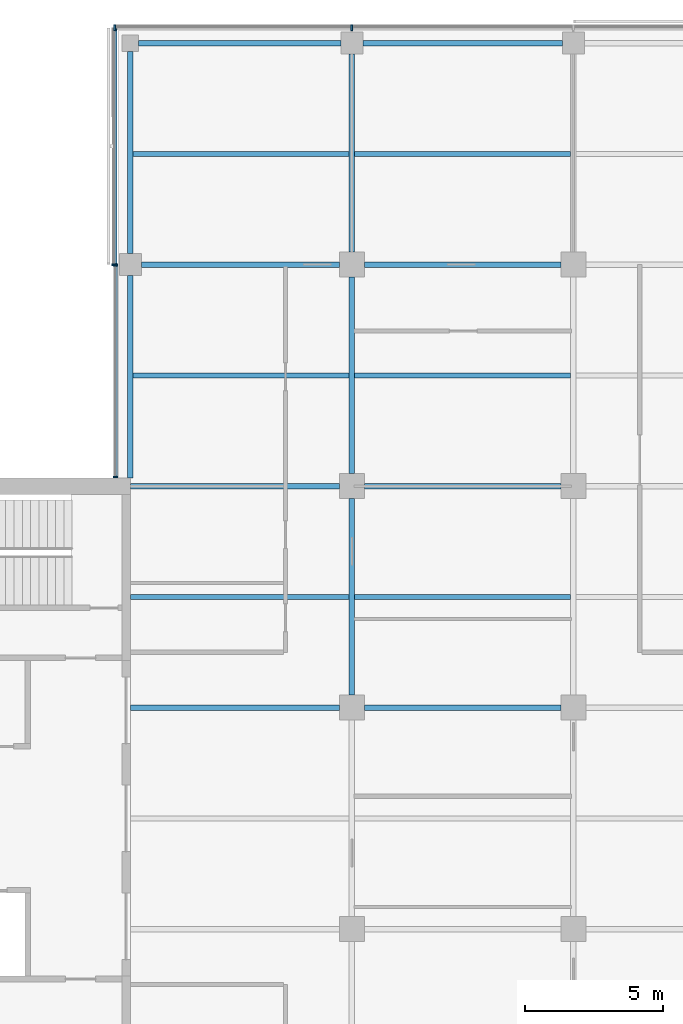
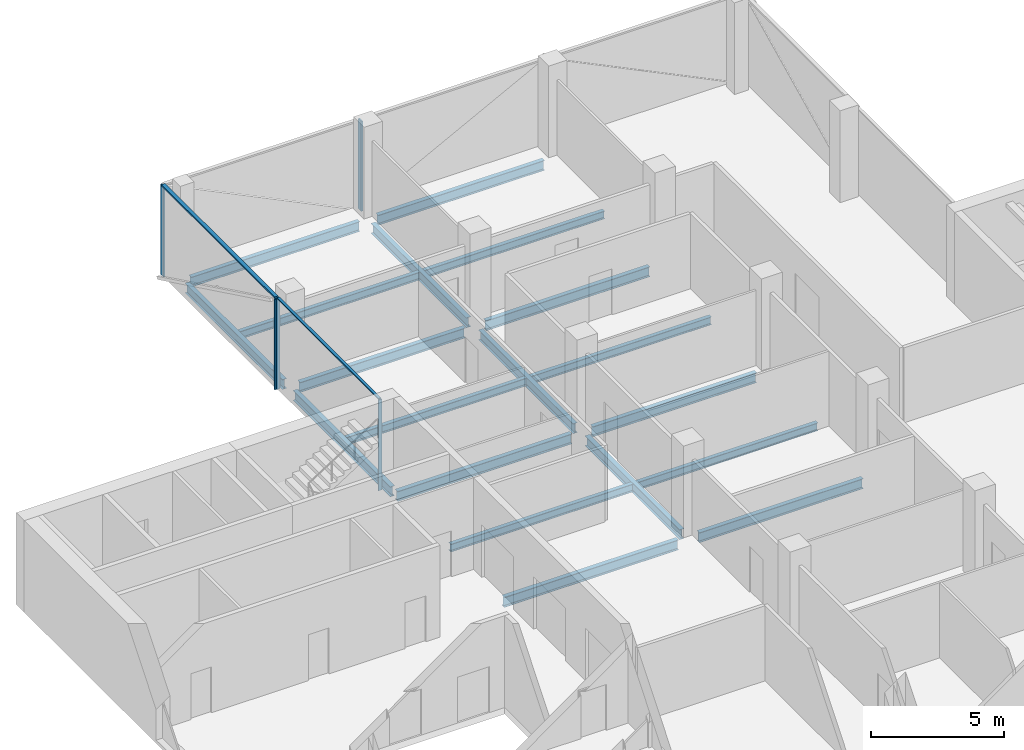
# One storey, part 5 of 15: 19 beams, 7 members, 3 elements without a shape of their own.
"""IFC4 building model written with IfcOpenShell, lengths in metres."""

from ifc_helpers import new_model, si_unit, direction, frame, origin, origin_2d, place, context, subcontext, project, spatial, rectangle, i_section, extrude, material, material_profile, profile_set, type_object, element, aggregate, save


model = new_model("IFC4")

# Units and contexts
model_context = context("Model", 3, precision=1e-05, world=origin(), true_north=direction((0.0, 1.0)))
body_context = subcontext(model_context, "Body", "Model", "MODEL_VIEW")
ifc_project = project(units=[si_unit("LENGTHUNIT", "METRE"), si_unit("AREAUNIT", "SQUARE_METRE"), si_unit("VOLUMEUNIT", "CUBIC_METRE"), si_unit("PLANEANGLEUNIT", "RADIAN"), si_unit("MASSUNIT", "GRAM", prefix="KILO")], contexts=[model_context])

# Site, building, storey
site_placement = place(None, origin())
site = spatial("IfcSite", under=ifc_project, at=site_placement, CompositionType="ELEMENT")
building_placement = place(site_placement, origin())
building = spatial("IfcBuilding", under=site, at=building_placement, Name="Crosswind Convention Tower", CompositionType="ELEMENT")
storey_placement = place(building_placement, frame((0.0, 0.0, 183.10009765625)))
storey = spatial("IfcBuildingStorey", under=building, at=storey_placement, Name="L38", CompositionType="ELEMENT", Elevation=183.10009765625)

# Beams
ifc_material_1 = material(Name="Steel S355", Category="steel")
ifc_material_profile_1 = material_profile(ifc_material_1, i_section(OverallWidth=0.18994140625, OverallDepth=0.45361328125, WebThickness=0.008544921875, FlangeThickness=0.0126953125, FilletRadius=0.01025390625, at=origin_2d()), Name="UB 457x191x67")
ifc_profile_set_1 = profile_set([ifc_material_profile_1], Name="Steel S355")
beam_type_1 = type_object("IfcBeamType", Name="Edge beam UB 457x191x67", PredefinedType="SPANDREL", material=ifc_profile_set_1)
for number, where, z_axis, x_axis, name in (
    (1, (113.0, 112.300048828125, -0.52685546875), (0.0, 1.0, 0.0), (-1.0, 0.0, 0.0), "B16 L38 edge beam 3"),
    (2, (113.0, 120.39990234375, -0.52685546875), (0.0, 1.0, 0.0), (-1.0, 0.0, 0.0), "B16 L38 edge beam 4"),
    (3, (113.300048828125, 128.0, -0.52685546875), (1.0, 0.0, 0.0), (0.0, 1.0, 0.0), "B16 L38 edge beam 6"),
):
    element("IfcBeam", number, at=place(storey_placement, frame(where, z_axis=z_axis, x_axis=x_axis)), inside=storey, type_object=beam_type_1, Name=name, PredefinedType="SPANDREL", context=body_context, shape_type="SweptSolid", body=[
        extrude(i_section(OverallWidth=0.18994140625, OverallDepth=0.45361328125, WebThickness=0.008544921875, FlangeThickness=0.0126953125, FilletRadius=0.01025390625, at=origin_2d()), origin(), (0.0, 0.0, 1.0), 7.300048828125),
    ])
beam_1_placement = place(storey_placement, frame((121.39990234375, 128.0, -0.52685546875), z_axis=(1.0, 0.0, 0.0), x_axis=(0.0, 1.0, 0.0)))
element("IfcBeam", 4, at=beam_1_placement, inside=storey, type_object=beam_type_1, Name="B16 L38 edge beam 8", PredefinedType="SPANDREL", context=body_context, shape_type="SweptSolid", body=[
    extrude(i_section(OverallWidth=0.18994140625, OverallDepth=0.45361328125, WebThickness=0.008544921875, FlangeThickness=0.0126953125, FilletRadius=0.01025390625, at=origin_2d()), origin(), (0.0, 0.0, 1.0), 7.2001953125),
])
ifc_material_profile_2 = material_profile(ifc_material_1, i_section(OverallWidth=0.1904296875, OverallDepth=0.457275390625, WebThickness=0.009033203125, FlangeThickness=0.014404296875, FilletRadius=0.01025390625, at=origin_2d()), Name="UB 457x191x75")
ifc_profile_set_2 = profile_set([ifc_material_profile_2], Name="Steel S355")
beam_type_2 = type_object("IfcBeamType", Name="Girder UB 457x191x75", PredefinedType="BEAM", material=ifc_profile_set_2)
beam_2_placement = place(storey_placement, frame((113.39990234375, 120.0, -0.52880859375), z_axis=(1.0, 0.0, 0.0), x_axis=(0.0, 1.0, 0.0)))
element("IfcBeam", 5, at=beam_2_placement, inside=storey, type_object=beam_type_2, Name="B2 L38 girder 2", PredefinedType="BEAM", context=body_context, shape_type="SweptSolid", body=[
    extrude(i_section(OverallWidth=0.1904296875, OverallDepth=0.457275390625, WebThickness=0.009033203125, FlangeThickness=0.014404296875, FilletRadius=0.01025390625, at=origin_2d()), origin(), (0.0, 0.0, 1.0), 7.150146484375),
])
for number, where, z_axis, x_axis, name in (
    (6, (121.0, 104.449951171875, -0.52880859375), (0.0, 1.0, 0.0), (-1.0, 0.0, 0.0), "B2 L38 girder 7"),
    (7, (121.0, 112.449951171875, -0.52880859375), (0.0, 1.0, 0.0), (-1.0, 0.0, 0.0), "B2 L38 girder 8"),
):
    element("IfcBeam", number, at=place(storey_placement, frame(where, z_axis=z_axis, x_axis=x_axis)), inside=storey, type_object=beam_type_2, Name=name, PredefinedType="BEAM", context=body_context, shape_type="SweptSolid", body=[
        extrude(i_section(OverallWidth=0.1904296875, OverallDepth=0.457275390625, WebThickness=0.009033203125, FlangeThickness=0.014404296875, FilletRadius=0.01025390625, at=origin_2d()), origin(), (0.0, 0.0, 1.0), 7.10009765625),
    ])
beam_3_placement = place(storey_placement, frame((121.0, 120.449951171875, -0.52880859375), z_axis=(0.0, 1.0, 0.0), x_axis=(-1.0, 0.0, 0.0)))
element("IfcBeam", 8, at=beam_3_placement, inside=storey, type_object=beam_type_2, Name="B2 L38 girder 9", PredefinedType="BEAM", context=body_context, shape_type="SweptSolid", body=[
    extrude(i_section(OverallWidth=0.1904296875, OverallDepth=0.457275390625, WebThickness=0.009033203125, FlangeThickness=0.014404296875, FilletRadius=0.01025390625, at=origin_2d()), origin(), (0.0, 0.0, 1.0), 7.150146484375),
])
for number, where, z_axis, x_axis, name in (
    (9, (121.449951171875, 104.0, -0.52880859375), (1.0, 0.0, 0.0), (0.0, 1.0, 0.0), "B2 L38 girder 13"),
    (10, (121.449951171875, 112.0, -0.52880859375), (1.0, 0.0, 0.0), (0.0, 1.0, 0.0), "B2 L38 girder 14"),
    (11, (121.449951171875, 120.0, -0.52880859375), (1.0, 0.0, 0.0), (0.0, 1.0, 0.0), "B2 L38 girder 15"),
):
    element("IfcBeam", number, at=place(storey_placement, frame(where, z_axis=z_axis, x_axis=x_axis)), inside=storey, type_object=beam_type_2, Name=name, PredefinedType="BEAM", context=body_context, shape_type="SweptSolid", body=[
        extrude(i_section(OverallWidth=0.1904296875, OverallDepth=0.457275390625, WebThickness=0.009033203125, FlangeThickness=0.014404296875, FilletRadius=0.01025390625, at=origin_2d()), origin(), (0.0, 0.0, 1.0), 7.10009765625),
    ])
ifc_material_profile_3 = material_profile(ifc_material_1, i_section(OverallWidth=0.19140625, OverallDepth=0.460205078125, WebThickness=0.010009765625, FlangeThickness=0.01611328125, FilletRadius=0.01025390625, at=origin_2d()), Name="UB 457x191x82")
ifc_profile_set_3 = profile_set([ifc_material_profile_3], Name="Steel S355")
beam_type_3 = type_object("IfcBeamType", Name="Girder at core wall UB 457x191x82", PredefinedType="BEAM", material=ifc_profile_set_3)
for number, where, z_axis, x_axis, name in (
    (12, (113.0, 104.0, -0.5302734375), (1.0, 0.0, 0.0), (0.0, 1.0, 0.0), "B23 L38 girder at core wall 3"),
    (13, (113.0, 112.0, -0.5302734375), (1.0, 0.0, 0.0), (0.0, 1.0, 0.0), "B23 L38 girder at core wall 4"),
):
    element("IfcBeam", number, at=place(storey_placement, frame(where, z_axis=z_axis, x_axis=x_axis)), inside=storey, type_object=beam_type_3, Name=name, PredefinedType="BEAM", context=body_context, shape_type="SweptSolid", body=[
        extrude(i_section(OverallWidth=0.19140625, OverallDepth=0.460205078125, WebThickness=0.010009765625, FlangeThickness=0.01611328125, FilletRadius=0.01025390625, at=origin_2d()), origin(), (0.0, 0.0, 1.0), 7.550048828125),
    ])

# Curtain wall, members
ifc_material_2 = material(Name="Aluminium unitised curtain wall", Category="aluminium")
curtain_wall_type_1 = type_object("IfcCurtainWallType", Name="CORE END SLOT WALL 160", PredefinedType="USERDEFINED", material=ifc_material_2)
curtain_wall_1_placement = place(storey_placement, origin())
curtain_wall_1 = element("IfcCurtainWall", 14, at=curtain_wall_1_placement, inside=storey, type_object=curtain_wall_type_1, Name="CW6 L38 N-W.1-2 slot", ObjectType="UNITISED", PredefinedType="USERDEFINED")
ifc_material_3 = material(Name="Aluminium mullion", Category="aluminium")
ifc_material_profile_4 = material_profile(ifc_material_3, rectangle(XDim=0.159912109375, YDim=0.050048828125, at=origin_2d()), Name="AL 160X50")
ifc_profile_set_4 = profile_set([ifc_material_profile_4], Name="Aluminium mullion")
member_type_1 = type_object("IfcMemberType", Name="MULLION 50X160", PredefinedType="MULLION", material=ifc_profile_set_4)
member_1_placement = place(storey_placement, frame((112.469970703125, 119.97509765625, -0.300048828125), z_axis=(0.0, 0.0, 1.0), x_axis=(-1.0, 0.0, 0.0)))
member_1 = element("IfcMember", 15, at=member_1_placement, type_object=member_type_1, Name="CW6 mullion 1", PredefinedType="MULLION", context=body_context, shape_type="SweptSolid", body=[
    extrude(rectangle(XDim=0.159912109375, YDim=0.050048828125, at=origin_2d()), origin(), (0.0, 0.0, 1.0), 4.14990234375),
])
member_2_placement = place(storey_placement, frame((112.469970703125, 112.324951171875, -0.300048828125), z_axis=(0.0, 0.0, 1.0), x_axis=(-1.0, 0.0, 0.0)))
member_2 = element("IfcMember", 16, at=member_2_placement, type_object=member_type_1, Name="CW6 mullion 2", PredefinedType="MULLION", context=body_context, shape_type="SweptSolid", body=[
    extrude(rectangle(XDim=0.159912109375, YDim=0.050048828125, at=origin_2d()), origin(), (0.0, 0.0, 1.0), 4.14990234375),
])

curtain_wall_type_2 = type_object("IfcCurtainWallType", Name="OFFICE UNITISED WALL 220", PredefinedType="USERDEFINED", material=ifc_material_2)
curtain_wall_2_placement = place(storey_placement, origin())
curtain_wall_2 = element("IfcCurtainWall", 17, at=curtain_wall_2_placement, inside=storey, type_object=curtain_wall_type_2, Name="CW3 L38 N-TIP 1", ObjectType="UNITISED", PredefinedType="USERDEFINED")
ifc_material_profile_5 = material_profile(ifc_material_3, rectangle(XDim=0.219970703125, YDim=0.070068359375, at=origin_2d()), Name="AL 220X70")
ifc_profile_set_5 = profile_set([ifc_material_profile_5], Name="Aluminium mullion")
member_type_2 = type_object("IfcMemberType", Name="MULLION 70X220", PredefinedType="MULLION", material=ifc_profile_set_5)
member_3_placement = place(storey_placement, frame((121.0, 128.56005859375, -0.300048828125), z_axis=(0.0, 0.0, 1.0), x_axis=(0.0, 1.0, 0.0)))
member_3 = element("IfcMember", 18, at=member_3_placement, type_object=member_type_2, Name="CW3 mullion 3", PredefinedType="MULLION", context=body_context, shape_type="SweptSolid", body=[
    extrude(rectangle(XDim=0.219970703125, YDim=0.070068359375, at=origin_2d()), origin(), (0.0, 0.0, 1.0), 4.1298828125),
])
member_4_placement = place(storey_placement, frame((112.43994140625, 128.56005859375, -0.300048828125), z_axis=(0.0, 0.0, 1.0), x_axis=(0.0, 1.0, 0.0)))
member_4 = element("IfcMember", 19, at=member_4_placement, type_object=member_type_2, Name="CW3 mullion 4", PredefinedType="MULLION", context=body_context, shape_type="SweptSolid", body=[
    extrude(rectangle(XDim=0.219970703125, YDim=0.070068359375, at=origin_2d()), origin(), (0.0, 0.0, 1.0), 4.1298828125),
])
aggregate(curtain_wall_2, [member_3, member_4])

# Curtain wall, member
curtain_wall_3_placement = place(storey_placement, origin())
curtain_wall_3 = element("IfcCurtainWall", 20, at=curtain_wall_3_placement, inside=storey, type_object=curtain_wall_type_2, Name="CW3 L38 N-W 1", ObjectType="UNITISED", PredefinedType="USERDEFINED")
member_5_placement = place(storey_placement, frame((112.43994140625, 120.0, -0.300048828125), z_axis=(0.0, 0.0, 1.0), x_axis=(-1.0, 0.0, 0.0)))
member_5 = element("IfcMember", 21, at=member_5_placement, type_object=member_type_2, Name="CW3 mullion 2", PredefinedType="MULLION", context=body_context, shape_type="SweptSolid", body=[
    extrude(rectangle(XDim=0.219970703125, YDim=0.070068359375, at=origin_2d()), origin(), (0.0, 0.0, 1.0), 4.1298828125),
])

# Beams
ifc_material_profile_6 = material_profile(ifc_material_1, i_section(OverallWidth=0.172119140625, OverallDepth=0.358642578125, WebThickness=0.008056640625, FlangeThickness=0.012939453125, FilletRadius=0.01025390625, at=origin_2d()), Name="UB 356x171x57")
ifc_profile_set_6 = profile_set([ifc_material_profile_6], Name="Steel S355")
beam_type_4 = type_object("IfcBeamType", Name="Secondary beam UB 356x171x57", PredefinedType="JOIST", material=ifc_profile_set_6)
beam_4_placement = place(storey_placement, frame((113.0, 108.0, -0.4794921875), z_axis=(1.0, 0.0, 0.0), x_axis=(0.0, 1.0, 0.0)))
element("IfcBeam", 22, at=beam_4_placement, inside=storey, type_object=beam_type_4, Name="B9 L38 secondary beam 3", PredefinedType="JOIST", context=body_context, shape_type="SweptSolid", body=[
    extrude(i_section(OverallWidth=0.172119140625, OverallDepth=0.358642578125, WebThickness=0.008056640625, FlangeThickness=0.012939453125, FilletRadius=0.01025390625, at=origin_2d()), origin(), (0.0, 0.0, 1.0), 7.90478515625),
])
for number, where, z_axis, x_axis, name in (
    (23, (113.094970703125, 116.0, -0.4794921875), (1.0, 0.0, 0.0), (0.0, 1.0, 0.0), "B9 L38 secondary beam 6"),
    (24, (113.094970703125, 124.0, -0.4794921875), (1.0, 0.0, 0.0), (0.0, 1.0, 0.0), "B9 L38 secondary beam 7"),
):
    element("IfcBeam", number, at=place(storey_placement, frame(where, z_axis=z_axis, x_axis=x_axis)), inside=storey, type_object=beam_type_4, Name=name, PredefinedType="JOIST", context=body_context, shape_type="SweptSolid", body=[
        extrude(i_section(OverallWidth=0.172119140625, OverallDepth=0.358642578125, WebThickness=0.008056640625, FlangeThickness=0.012939453125, FilletRadius=0.01025390625, at=origin_2d()), origin(), (0.0, 0.0, 1.0), 7.809814453125),
    ])
for number, where, z_axis, x_axis, name in (
    (25, (121.09521484375, 108.0, -0.4794921875), (1.0, 0.0, 0.0), (0.0, 1.0, 0.0), "B9 L38 secondary beam 12"),
    (26, (121.09521484375, 116.0, -0.4794921875), (1.0, 0.0, 0.0), (0.0, 1.0, 0.0), "B9 L38 secondary beam 13"),
    (27, (121.09521484375, 124.0, -0.4794921875), (1.0, 0.0, 0.0), (0.0, 1.0, 0.0), "B9 L38 secondary beam 14"),
):
    element("IfcBeam", number, at=place(storey_placement, frame(where, z_axis=z_axis, x_axis=x_axis)), inside=storey, type_object=beam_type_4, Name=name, PredefinedType="JOIST", context=body_context, shape_type="SweptSolid", body=[
        extrude(i_section(OverallWidth=0.172119140625, OverallDepth=0.358642578125, WebThickness=0.008056640625, FlangeThickness=0.012939453125, FilletRadius=0.01025390625, at=origin_2d()), origin(), (0.0, 0.0, 1.0), 7.8095703125),
    ])

# Member
ifc_material_4 = material(Name="Aluminium transom", Category="aluminium")
ifc_material_profile_7 = material_profile(ifc_material_4, rectangle(XDim=0.1201171875, YDim=0.050048828125, at=origin_2d()), Name="AL 120X50")
ifc_profile_set_7 = profile_set([ifc_material_profile_7], Name="Aluminium transom")
member_type_3 = type_object("IfcMemberType", Name="TRANSOM 50X120", PredefinedType="USERDEFINED", material=ifc_profile_set_7)
member_6_placement = place(storey_placement, frame((112.469970703125, 119.949951171875, 3.875), z_axis=(0.0, -1.0, 0.0), x_axis=(1.0, 0.0, 0.0)))
member_6 = element("IfcMember", 28, at=member_6_placement, type_object=member_type_3, Name="CW6 transom", ObjectType="TRANSOM", PredefinedType="USERDEFINED", context=body_context, shape_type="SweptSolid", body=[
    extrude(rectangle(XDim=0.1201171875, YDim=0.050048828125, at=origin_2d()), origin(), (0.0, 0.0, 1.0), 7.599853515625),
])

aggregate(curtain_wall_1, [member_1, member_2, member_6])

ifc_material_profile_8 = material_profile(ifc_material_4, rectangle(XDim=0.159912109375, YDim=0.070068359375, at=origin_2d()), Name="AL 160X70")
ifc_profile_set_8 = profile_set([ifc_material_profile_8], Name="Aluminium transom")
member_type_4 = type_object("IfcMemberType", Name="TRANSOM 70X160", PredefinedType="USERDEFINED", material=ifc_profile_set_8)
member_7_placement = place(storey_placement, frame((112.43994140625, 128.52490234375, 3.864990234375), z_axis=(0.0, -1.0, 0.0), x_axis=(1.0, 0.0, 0.0)))
member_7 = element("IfcMember", 29, at=member_7_placement, type_object=member_type_4, Name="CW3 transom", ObjectType="TRANSOM", PredefinedType="USERDEFINED", context=body_context, shape_type="SweptSolid", body=[
    extrude(rectangle(XDim=0.159912109375, YDim=0.070068359375, at=origin_2d()), origin(), (0.0, 0.0, 1.0), 8.489990234375),
])

aggregate(curtain_wall_3, [member_5, member_7])

save(model, "model.ifc")
